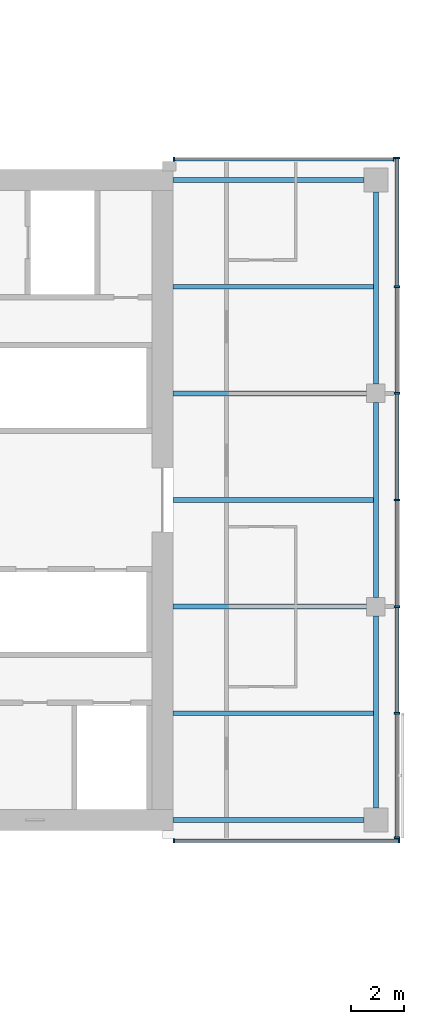
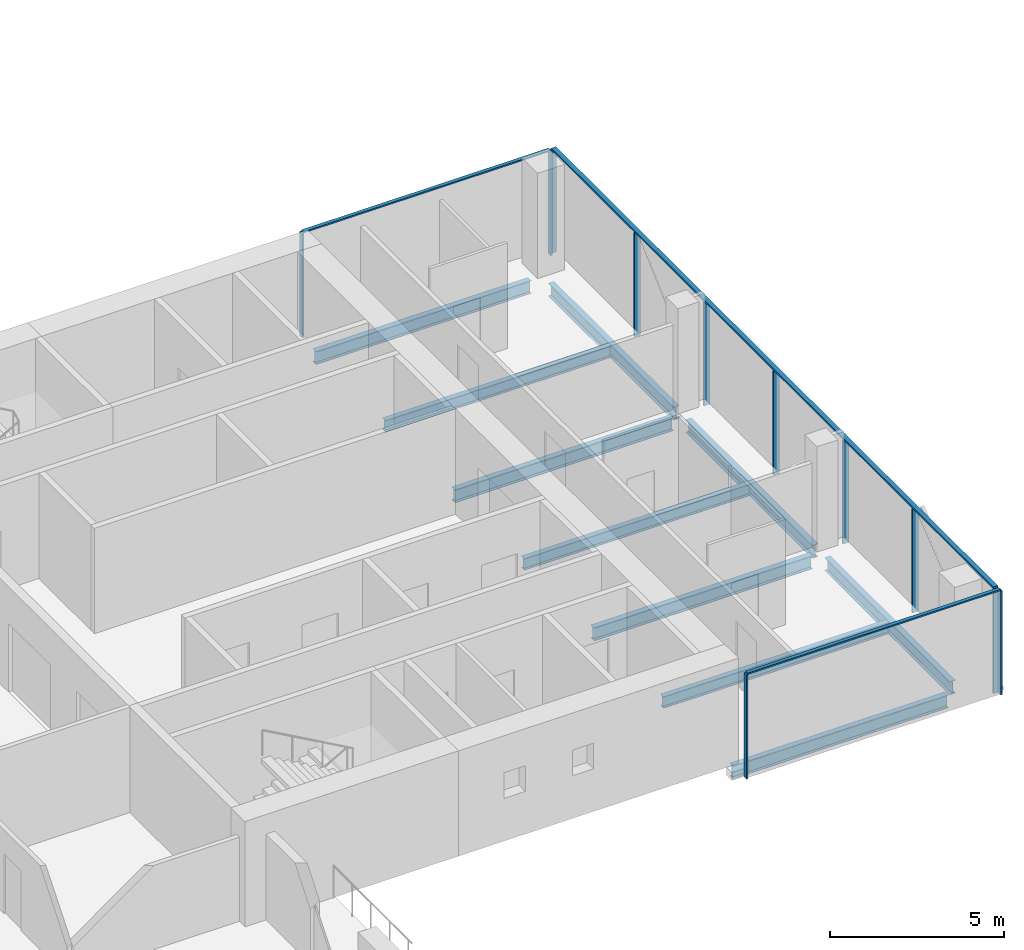
# One storey, part 11 of 27: 14 members, 10 beams, 3 elements without a shape of their own.
"""IFC4 building model written with IfcOpenShell, lengths in metres."""

from ifc_helpers import new_model, si_unit, direction, frame, origin, origin_2d, place, context, subcontext, project, spatial, rectangle, i_section, extrude, material, material_profile, profile_set, type_object, element, aggregate, save


model = new_model("IFC4")

# Units and contexts
model_context = context("Model", 3, precision=1e-05, world=origin(), true_north=direction((0.0, 1.0)))
body_context = subcontext(model_context, "Body", "Model", "MODEL_VIEW")
ifc_project = project(units=[si_unit("LENGTHUNIT", "METRE"), si_unit("AREAUNIT", "SQUARE_METRE"), si_unit("VOLUMEUNIT", "CUBIC_METRE"), si_unit("PLANEANGLEUNIT", "RADIAN"), si_unit("MASSUNIT", "GRAM", prefix="KILO")], contexts=[model_context])

# Site, building, storey
site_placement = place(None, origin())
site = spatial("IfcSite", under=ifc_project, at=site_placement, CompositionType="ELEMENT")
building_placement = place(site_placement, origin())
building = spatial("IfcBuilding", under=site, at=building_placement, Name="Crosswind Convention Tower", CompositionType="ELEMENT")
storey_placement = place(building_placement, frame((0.0, 0.0, 79.39990234375)))
storey = spatial("IfcBuildingStorey", under=building, at=storey_placement, Name="L14", CompositionType="ELEMENT", Elevation=79.39990234375)

# Beams
ifc_material_1 = material(Name="Steel S355", Category="steel")
ifc_material_profile_1 = material_profile(ifc_material_1, i_section(OverallWidth=0.1904296875, OverallDepth=0.457275390625, WebThickness=0.009033203125, FlangeThickness=0.014404296875, FilletRadius=0.01025390625, at=origin_2d()), Name="UB 457x191x75")
ifc_profile_set_1 = profile_set([ifc_material_profile_1], Name="Steel S355")
beam_type_1 = type_object("IfcBeamType", Name="Edge beam UB 457x191x75", PredefinedType="SPANDREL", material=ifc_profile_set_1)
for number, where, z_axis, x_axis, name in (
    (1, (153.39990234375, 88.0, -0.508544921875), (1.0, 0.0, 0.0), (0.0, 1.0, 0.0), "B17 L14 edge beam 24"),
    (2, (153.39990234375, 112.0, -0.508544921875), (1.0, 0.0, 0.0), (0.0, 1.0, 0.0), "B17 L14 edge beam 25"),
):
    element("IfcBeam", number, at=place(storey_placement, frame(where, z_axis=z_axis, x_axis=x_axis)), inside=storey, type_object=beam_type_1, Name=name, PredefinedType="SPANDREL", context=body_context, shape_type="SweptSolid", body=[
        extrude(i_section(OverallWidth=0.1904296875, OverallDepth=0.457275390625, WebThickness=0.009033203125, FlangeThickness=0.014404296875, FilletRadius=0.01025390625, at=origin_2d()), origin(), (0.0, 0.0, 1.0), 7.150146484375),
    ])
beam_1_placement = place(storey_placement, frame((161.0, 88.449951171875, -0.508544921875), z_axis=(0.0, 1.0, 0.0), x_axis=(-1.0, 0.0, 0.0)))
element("IfcBeam", 3, at=beam_1_placement, inside=storey, type_object=beam_type_1, Name="B17 L14 edge beam 26", PredefinedType="SPANDREL", context=body_context, shape_type="SweptSolid", body=[
    extrude(i_section(OverallWidth=0.1904296875, OverallDepth=0.457275390625, WebThickness=0.009033203125, FlangeThickness=0.014404296875, FilletRadius=0.01025390625, at=origin_2d()), origin(), (0.0, 0.0, 1.0), 7.199951171875),
])
beam_2_placement = place(storey_placement, frame((161.0, 96.35009765625, -0.508544921875), z_axis=(0.0, 1.0, 0.0), x_axis=(-1.0, 0.0, 0.0)))
element("IfcBeam", 4, at=beam_2_placement, inside=storey, type_object=beam_type_1, Name="B17 L14 edge beam 27", PredefinedType="SPANDREL", context=body_context, shape_type="SweptSolid", body=[
    extrude(i_section(OverallWidth=0.1904296875, OverallDepth=0.457275390625, WebThickness=0.009033203125, FlangeThickness=0.014404296875, FilletRadius=0.01025390625, at=origin_2d()), origin(), (0.0, 0.0, 1.0), 7.2998046875),
])
beam_3_placement = place(storey_placement, frame((161.0, 104.35009765625, -0.508544921875), z_axis=(0.0, 1.0, 0.0), x_axis=(-1.0, 0.0, 0.0)))
element("IfcBeam", 5, at=beam_3_placement, inside=storey, type_object=beam_type_1, Name="B17 L14 edge beam 28", PredefinedType="SPANDREL", context=body_context, shape_type="SweptSolid", body=[
    extrude(i_section(OverallWidth=0.1904296875, OverallDepth=0.457275390625, WebThickness=0.009033203125, FlangeThickness=0.014404296875, FilletRadius=0.01025390625, at=origin_2d()), origin(), (0.0, 0.0, 1.0), 7.199951171875),
])
ifc_material_profile_2 = material_profile(ifc_material_1, i_section(OverallWidth=0.19189453125, OverallDepth=0.463623046875, WebThickness=0.010498046875, FlangeThickness=0.017578125, FilletRadius=0.01025390625, at=origin_2d()), Name="UB 457x191x90")
ifc_profile_set_2 = profile_set([ifc_material_profile_2], Name="Steel S355")
beam_type_2 = type_object("IfcBeamType", Name="Girder at core wall UB 457x191x90", PredefinedType="BEAM", material=ifc_profile_set_2)
for number, where, z_axis, x_axis, name in (
    (6, (153.39990234375, 96.0, -0.51171875), (1.0, 0.0, 0.0), (0.0, 1.0, 0.0), "B24 L14 girder at core wall 11"),
    (7, (153.39990234375, 104.0, -0.51171875), (1.0, 0.0, 0.0), (0.0, 1.0, 0.0), "B24 L14 girder at core wall 12"),
):
    element("IfcBeam", number, at=place(storey_placement, frame(where, z_axis=z_axis, x_axis=x_axis)), inside=storey, type_object=beam_type_2, Name=name, PredefinedType="BEAM", context=body_context, shape_type="SweptSolid", body=[
        extrude(i_section(OverallWidth=0.19189453125, OverallDepth=0.463623046875, WebThickness=0.010498046875, FlangeThickness=0.017578125, FilletRadius=0.01025390625, at=origin_2d()), origin(), (0.0, 0.0, 1.0), 7.25),
    ])

# Curtain wall, members
ifc_material_2 = material(Name="Aluminium unitised curtain wall", Category="aluminium")
curtain_wall_type_1 = type_object("IfcCurtainWallType", Name="CORE END SLOT WALL 160", PredefinedType="USERDEFINED", material=ifc_material_2)
curtain_wall_1_placement = place(storey_placement, origin())
curtain_wall_1 = element("IfcCurtainWall", 8, at=curtain_wall_1_placement, inside=storey, type_object=curtain_wall_type_1, Name="CW6 L14 E-N.1-1 slot", ObjectType="UNITISED", PredefinedType="USERDEFINED")
ifc_material_3 = material(Name="Aluminium mullion", Category="aluminium")
ifc_material_profile_3 = material_profile(ifc_material_3, rectangle(XDim=0.159912109375, YDim=0.050048828125, at=origin_2d()), Name="AL 160X50")
ifc_profile_set_3 = profile_set([ifc_material_profile_3], Name="Aluminium mullion")
member_type_1 = type_object("IfcMemberType", Name="MULLION 50X160", PredefinedType="MULLION", material=ifc_profile_set_3)
member_1_placement = place(storey_placement, frame((161.675048828125, 112.780029296875, -0.27978515625), z_axis=(0.0, 0.0, 1.0), x_axis=(0.0, 1.0, 0.0)))
member_1 = element("IfcMember", 9, at=member_1_placement, type_object=member_type_1, Name="CW6 mullion 1", PredefinedType="MULLION", context=body_context, shape_type="SweptSolid", body=[
    extrude(rectangle(XDim=0.159912109375, YDim=0.050048828125, at=origin_2d()), origin(), (0.0, 0.0, 1.0), 3.64990234375),
])
member_2_placement = place(storey_placement, frame((153.425048828125, 112.780029296875, -0.27978515625), z_axis=(0.0, 0.0, 1.0), x_axis=(0.0, 1.0, 0.0)))
member_2 = element("IfcMember", 10, at=member_2_placement, type_object=member_type_1, Name="CW6 mullion 2", PredefinedType="MULLION", context=body_context, shape_type="SweptSolid", body=[
    extrude(rectangle(XDim=0.159912109375, YDim=0.050048828125, at=origin_2d()), origin(), (0.0, 0.0, 1.0), 3.64990234375),
])

curtain_wall_2_placement = place(storey_placement, origin())
curtain_wall_2 = element("IfcCurtainWall", 11, at=curtain_wall_2_placement, inside=storey, type_object=curtain_wall_type_1, Name="CW6 L14 E-S.2-1 slot", ObjectType="UNITISED", PredefinedType="USERDEFINED")
member_3_placement = place(storey_placement, frame((153.425048828125, 87.219970703125, -0.27978515625), z_axis=(0.0, 0.0, 1.0), x_axis=(0.0, -1.0, 0.0)))
member_3 = element("IfcMember", 12, at=member_3_placement, type_object=member_type_1, Name="CW6 mullion 1", PredefinedType="MULLION", context=body_context, shape_type="SweptSolid", body=[
    extrude(rectangle(XDim=0.159912109375, YDim=0.050048828125, at=origin_2d()), origin(), (0.0, 0.0, 1.0), 3.64990234375),
])
member_4_placement = place(storey_placement, frame((161.875, 87.219970703125, -0.27978515625), z_axis=(0.0, 0.0, 1.0), x_axis=(0.0, -1.0, 0.0)))
member_4 = element("IfcMember", 13, at=member_4_placement, type_object=member_type_1, Name="CW6 mullion 2", PredefinedType="MULLION", context=body_context, shape_type="SweptSolid", body=[
    extrude(rectangle(XDim=0.159912109375, YDim=0.050048828125, at=origin_2d()), origin(), (0.0, 0.0, 1.0), 3.64990234375),
])

curtain_wall_type_2 = type_object("IfcCurtainWallType", Name="HOTEL UNITISED WALL 200", PredefinedType="USERDEFINED", material=ifc_material_2)
curtain_wall_3_placement = place(storey_placement, origin())
curtain_wall_3 = element("IfcCurtainWall", 14, at=curtain_wall_3_placement, inside=storey, type_object=curtain_wall_type_2, Name="CW2 L14 E-TIP 1", ObjectType="UNITISED", PredefinedType="USERDEFINED")
ifc_material_profile_4 = material_profile(ifc_material_3, rectangle(XDim=0.199951171875, YDim=0.06494140625, at=origin_2d()), Name="AL 200X65")
ifc_profile_set_4 = profile_set([ifc_material_profile_4], Name="Aluminium mullion")
member_type_2 = type_object("IfcMemberType", Name="MULLION 65X200", PredefinedType="MULLION", material=ifc_profile_set_4)
member_5_placement = place(storey_placement, frame((161.800048828125, 87.33251953125, -0.27978515625), z_axis=(0.0, 0.0, 1.0), x_axis=(1.0, 0.0, 0.0)))
member_5 = element("IfcMember", 15, at=member_5_placement, type_object=member_type_2, Name="CW2 mullion 1", PredefinedType="MULLION", context=body_context, shape_type="SweptSolid", body=[
    extrude(rectangle(XDim=0.199951171875, YDim=0.06494140625, at=origin_2d()), origin(), (0.0, 0.0, 1.0), 3.634765625),
])
member_6_placement = place(storey_placement, frame((161.800048828125, 92.0, -0.27978515625), z_axis=(0.0, 0.0, 1.0), x_axis=(1.0, 0.0, 0.0)))
member_6 = element("IfcMember", 16, at=member_6_placement, type_object=member_type_2, Name="CW2 mullion 2", PredefinedType="MULLION", context=body_context, shape_type="SweptSolid", body=[
    extrude(rectangle(XDim=0.199951171875, YDim=0.06494140625, at=origin_2d()), origin(), (0.0, 0.0, 1.0), 3.634765625),
])
member_7_placement = place(storey_placement, frame((161.800048828125, 96.0, -0.27978515625), z_axis=(0.0, 0.0, 1.0), x_axis=(1.0, 0.0, 0.0)))
member_7 = element("IfcMember", 17, at=member_7_placement, type_object=member_type_2, Name="CW2 mullion 3", PredefinedType="MULLION", context=body_context, shape_type="SweptSolid", body=[
    extrude(rectangle(XDim=0.199951171875, YDim=0.06494140625, at=origin_2d()), origin(), (0.0, 0.0, 1.0), 3.634765625),
])
member_8_placement = place(storey_placement, frame((161.800048828125, 100.0, -0.27978515625), z_axis=(0.0, 0.0, 1.0), x_axis=(1.0, 0.0, 0.0)))
member_8 = element("IfcMember", 18, at=member_8_placement, type_object=member_type_2, Name="CW2 mullion 4", PredefinedType="MULLION", context=body_context, shape_type="SweptSolid", body=[
    extrude(rectangle(XDim=0.199951171875, YDim=0.06494140625, at=origin_2d()), origin(), (0.0, 0.0, 1.0), 3.634765625),
])
member_9_placement = place(storey_placement, frame((161.800048828125, 104.0, -0.27978515625), z_axis=(0.0, 0.0, 1.0), x_axis=(1.0, 0.0, 0.0)))
member_9 = element("IfcMember", 19, at=member_9_placement, type_object=member_type_2, Name="CW2 mullion 5", PredefinedType="MULLION", context=body_context, shape_type="SweptSolid", body=[
    extrude(rectangle(XDim=0.199951171875, YDim=0.06494140625, at=origin_2d()), origin(), (0.0, 0.0, 1.0), 3.634765625),
])
member_10_placement = place(storey_placement, frame((161.800048828125, 108.0, -0.27978515625), z_axis=(0.0, 0.0, 1.0), x_axis=(1.0, 0.0, 0.0)))
member_10 = element("IfcMember", 20, at=member_10_placement, type_object=member_type_2, Name="CW2 mullion 6", PredefinedType="MULLION", context=body_context, shape_type="SweptSolid", body=[
    extrude(rectangle(XDim=0.199951171875, YDim=0.06494140625, at=origin_2d()), origin(), (0.0, 0.0, 1.0), 3.634765625),
])
member_11_placement = place(storey_placement, frame((161.800048828125, 112.827392578125, -0.27978515625), z_axis=(0.0, 0.0, 1.0), x_axis=(1.0, 0.0, 0.0)))
member_11 = element("IfcMember", 21, at=member_11_placement, type_object=member_type_2, Name="CW2 mullion 7", PredefinedType="MULLION", context=body_context, shape_type="SweptSolid", body=[
    extrude(rectangle(XDim=0.199951171875, YDim=0.06494140625, at=origin_2d()), origin(), (0.0, 0.0, 1.0), 3.634765625),
])

# Beams
ifc_material_profile_5 = material_profile(ifc_material_1, i_section(OverallWidth=0.177734375, OverallDepth=0.406494140625, WebThickness=0.0078125, FlangeThickness=0.0126953125, FilletRadius=0.01025390625, at=origin_2d()), Name="UB 406x178x60")
ifc_profile_set_5 = profile_set([ifc_material_profile_5], Name="Steel S355")
beam_type_3 = type_object("IfcBeamType", Name="Secondary beam UB 406x178x60", PredefinedType="JOIST", material=ifc_profile_set_5)
for number, where, z_axis, x_axis, name in (
    (22, (153.39990234375, 92.0, -0.483154296875), (1.0, 0.0, 0.0), (0.0, 1.0, 0.0), "B10 L14 secondary beam 31"),
    (23, (153.39990234375, 100.0, -0.483154296875), (1.0, 0.0, 0.0), (0.0, 1.0, 0.0), "B10 L14 secondary beam 32"),
    (24, (153.39990234375, 108.0, -0.483154296875), (1.0, 0.0, 0.0), (0.0, 1.0, 0.0), "B10 L14 secondary beam 33"),
):
    element("IfcBeam", number, at=place(storey_placement, frame(where, z_axis=z_axis, x_axis=x_axis)), inside=storey, type_object=beam_type_3, Name=name, PredefinedType="JOIST", context=body_context, shape_type="SweptSolid", body=[
        extrude(i_section(OverallWidth=0.177734375, OverallDepth=0.406494140625, WebThickness=0.0078125, FlangeThickness=0.0126953125, FilletRadius=0.01025390625, at=origin_2d()), origin(), (0.0, 0.0, 1.0), 7.5048828125),
    ])

# Member
ifc_material_4 = material(Name="Aluminium transom", Category="aluminium")
ifc_material_profile_6 = material_profile(ifc_material_4, rectangle(XDim=0.1201171875, YDim=0.050048828125, at=origin_2d()), Name="AL 120X50")
ifc_profile_set_6 = profile_set([ifc_material_profile_6], Name="Aluminium transom")
member_type_3 = type_object("IfcMemberType", Name="TRANSOM 50X120", PredefinedType="USERDEFINED", material=ifc_profile_set_6)
member_12_placement = place(storey_placement, frame((161.64990234375, 112.780029296875, 3.39501953125), z_axis=(-1.0, 0.0, 0.0), x_axis=(0.0, -1.0, 0.0)))
member_12 = element("IfcMember", 25, at=member_12_placement, type_object=member_type_3, Name="CW6 transom", ObjectType="TRANSOM", PredefinedType="USERDEFINED", context=body_context, shape_type="SweptSolid", body=[
    extrude(rectangle(XDim=0.1201171875, YDim=0.050048828125, at=origin_2d()), origin(), (0.0, 0.0, 1.0), 8.199951171875),
])

aggregate(curtain_wall_1, [member_1, member_2, member_12])

member_13_placement = place(storey_placement, frame((153.449951171875, 87.219970703125, 3.39501953125), z_axis=(1.0, 0.0, 0.0), x_axis=(0.0, 1.0, 0.0)))
member_13 = element("IfcMember", 26, at=member_13_placement, type_object=member_type_3, Name="CW6 transom", ObjectType="TRANSOM", PredefinedType="USERDEFINED", context=body_context, shape_type="SweptSolid", body=[
    extrude(rectangle(XDim=0.1201171875, YDim=0.050048828125, at=origin_2d()), origin(), (0.0, 0.0, 1.0), 8.400146484375),
])

aggregate(curtain_wall_2, [member_3, member_4, member_13])

ifc_material_profile_7 = material_profile(ifc_material_4, rectangle(XDim=0.14990234375, YDim=0.06494140625, at=origin_2d()), Name="AL 150X65")
ifc_profile_set_7 = profile_set([ifc_material_profile_7], Name="Aluminium transom")
member_type_4 = type_object("IfcMemberType", Name="TRANSOM 65X150", PredefinedType="USERDEFINED", material=ifc_profile_set_7)
member_14_placement = place(storey_placement, frame((161.800048828125, 87.364990234375, 3.3876953125), z_axis=(0.0, 1.0, 0.0), x_axis=(-1.0, 0.0, 0.0)))
member_14 = element("IfcMember", 27, at=member_14_placement, type_object=member_type_4, Name="CW2 transom", ObjectType="TRANSOM", PredefinedType="USERDEFINED", context=body_context, shape_type="SweptSolid", body=[
    extrude(rectangle(XDim=0.14990234375, YDim=0.06494140625, at=origin_2d()), origin(), (0.0, 0.0, 1.0), 25.429931640625),
])

aggregate(curtain_wall_3, [member_5, member_6, member_7, member_8, member_9, member_10, member_11, member_14])

save(model, "model.ifc")
